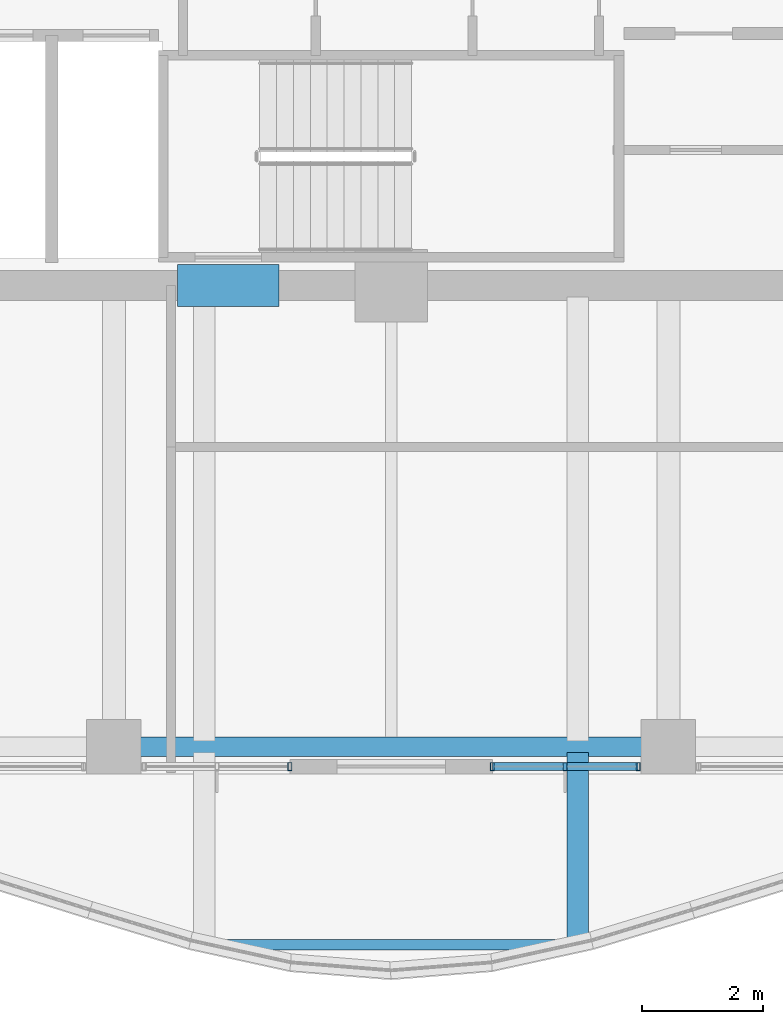
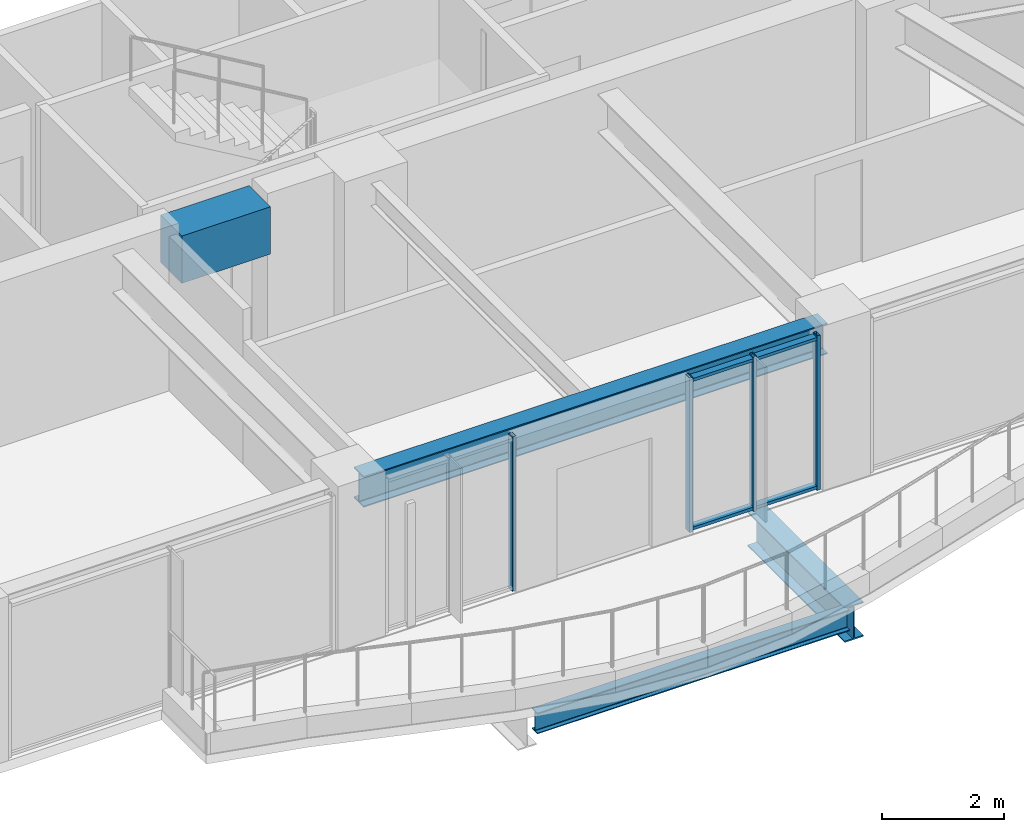
# One storey, part 6 of 31: 6 members, 4 beams, 2 elements without a shape of their own.
"""IFC4 building model written with IfcOpenShell, lengths in metres."""

import ifcopenshell
import ifcopenshell.guid

model = None  # the IFC model being written
_history = None  # IfcOwnerHistory: only IFC2X3 demands one
_inside = {}  # id of a spatial element -> (the spatial element, [elements in it])
_under = {}  # id of a project, library or spatial element -> (it, [spatial elements below it])
_declared = {}  # id of a project -> (the project, [libraries it declares])
_typed = {}  # id of a type object -> (the type object, [elements of that type])
_made_of = {}  # id of a material, layer set ... -> (it, [elements and type objects made of it])


def new_model(schema):
    """Start an empty IFC model of exactly this schema.

    Asked for "IFC4X3", IfcOpenShell would pick the latest addendum, in which some entities
    have other attributes; the version numbers below select the first issue.
    IFC2X3 requires an IfcOwnerHistory on every rooted entity: one is made here for all.
    """
    global model, _history
    if schema == "IFC4X3":
        model = ifcopenshell.file(schema_version=(4, 3, 0, 0))
    else:
        model = ifcopenshell.file(schema=schema)
    _inside.clear()
    _under.clear()
    _declared.clear()
    _typed.clear()
    _made_of.clear()
    _history = None
    if model.schema == "IFC2X3":
        org = make("IfcOrganization", Name="unknown")
        user = make(
            "IfcPersonAndOrganization",
            ThePerson=make("IfcPerson", FamilyName="unknown"),
            TheOrganization=org,
        )
        app = make(
            "IfcApplication",
            ApplicationDeveloper=org,
            Version="unknown",
            ApplicationFullName="unknown",
            ApplicationIdentifier="unknown",
        )
        _history = make(
            "IfcOwnerHistory",
            OwningUser=user,
            OwningApplication=app,
            ChangeAction="ADDED",
            CreationDate=0,
        )
    return model


def make(cls, **values):
    """One entity of the class cls with the attributes given. An attribute that is None is left unset."""
    return model.create_entity(
        cls, **{name: value for name, value in values.items() if value is not None}
    )


def rooted(cls, **values):
    """An entity with a GlobalId (a new one), such as an element, a storey or a relation."""
    return make(cls, GlobalId=ifcopenshell.guid.new(), OwnerHistory=_history, **values)


def si_unit(unit_type, name, prefix=None):
    """IfcSIUnit, for example si_unit("LENGTHUNIT", "METRE", prefix="MILLI")."""
    return make("IfcSIUnit", UnitType=unit_type, Prefix=prefix, Name=name)


def assignment(units):
    """IfcUnitAssignment: the units of a project."""
    return None if units is None else make("IfcUnitAssignment", Units=units)


def point(xyz):
    """IfcCartesianPoint."""
    return None if xyz is None else make("IfcCartesianPoint", Coordinates=xyz)


def direction(xyz):
    """IfcDirection."""
    return None if xyz is None else make("IfcDirection", DirectionRatios=xyz)


def frame(location, z_axis=None, x_axis=None):
    """IfcAxis2Placement3D, a coordinate frame: its origin and axes. An axis left out is left unset."""
    return make(
        "IfcAxis2Placement3D",
        Location=point(location),
        Axis=direction(z_axis),
        RefDirection=direction(x_axis),
    )


def frame_2d(location, x_axis=None):
    """IfcAxis2Placement2D, a coordinate frame in the plane: its origin and x axis."""
    return make(
        "IfcAxis2Placement2D", Location=point(location), RefDirection=direction(x_axis)
    )


def origin():
    """The frame at (0, 0, 0) with its axes left unset."""
    return frame((0.0, 0.0, 0.0))


def origin_2d():
    """The frame at (0, 0) in the plane with its x axis left unset."""
    return frame_2d((0.0, 0.0))


def place(relative_to, where):
    """IfcLocalPlacement: puts the frame where relative to a parent placement (None: the world)."""
    return make(
        "IfcLocalPlacement", PlacementRelTo=relative_to, RelativePlacement=where
    )


def context(
    kind, dimensions, precision=None, world=None, true_north=None, identifier=None
):
    """IfcGeometricRepresentationContext, for example the 3D "Model" context."""
    return make(
        "IfcGeometricRepresentationContext",
        ContextIdentifier=identifier,
        ContextType=kind,
        CoordinateSpaceDimension=dimensions,
        Precision=precision,
        WorldCoordinateSystem=world,
        TrueNorth=true_north,
    )


def subcontext(parent, identifier, kind, view, scale=None):
    """IfcGeometricRepresentationSubContext, for example "Body" below "Model"."""
    return make(
        "IfcGeometricRepresentationSubContext",
        ContextIdentifier=identifier,
        ContextType=kind,
        ParentContext=parent,
        TargetScale=scale,
        TargetView=view,
    )


def project(units=None, contexts=None):
    """IfcProject with its units and contexts."""
    return rooted(
        "IfcProject",
        Name="project",
        RepresentationContexts=contexts,
        UnitsInContext=assignment(units),
    )


def spatial(cls, under=None, at=None, **own):
    """A site, building, storey or space (cls), placed at a placement, below another one or the project."""
    s = rooted(cls, ObjectPlacement=at, **own)
    if under is not None:
        _under.setdefault(under.id(), (under, []))[1].append(s)
    return s


def profile(cls, at=None, kind="AREA", **sizes):
    """A parametric profile (cls). Its sizes go by their IFC names, for example OverallWidth=200.0."""
    return make(cls, ProfileType=kind, Position=at, **sizes)


def rectangle(**sizes):
    """IfcRectangleProfileDef."""
    return profile("IfcRectangleProfileDef", **sizes)


def hollow_rectangle(**sizes):
    """IfcRectangleHollowProfileDef."""
    return profile("IfcRectangleHollowProfileDef", **sizes)


def i_section(**sizes):
    """IfcIShapeProfileDef."""
    return profile("IfcIShapeProfileDef", **sizes)


def extrude(swept, where, along, depth):
    """IfcExtrudedAreaSolid: the profile swept, set in the frame where, extruded along a direction by depth."""
    return make(
        "IfcExtrudedAreaSolid",
        SweptArea=swept,
        Position=where,
        ExtrudedDirection=direction(along),
        Depth=depth,
    )


def shape(context_of_items, identifier, shape_type, items):
    """IfcShapeRepresentation: the items that make up one representation, for example the "Body"."""
    return make(
        "IfcShapeRepresentation",
        ContextOfItems=context_of_items,
        RepresentationIdentifier=identifier,
        RepresentationType=shape_type,
        Items=items,
    )


def material(Name=None, Category=None):
    """IfcMaterial."""
    return make("IfcMaterial", Name=Name, Category=Category)


def material_profile(
    of_material, cross_section, Name=None, Category=None, Priority=None
):
    """IfcMaterialProfile: a cross section and its material."""
    return make(
        "IfcMaterialProfile",
        Name=Name,
        Material=of_material,
        Profile=cross_section,
        Priority=Priority,
        Category=Category,
    )


def profile_set(profiles, Name=None, composite=None):
    """IfcMaterialProfileSet."""
    return make(
        "IfcMaterialProfileSet",
        Name=Name,
        MaterialProfiles=profiles,
        CompositeProfile=composite,
    )


def made_of(thing, what):
    """Note that an element or type object is made of a material, layer set ...; save() writes the relation."""
    if what is not None:
        _made_of.setdefault(what.id(), (what, []))[1].append(thing)
    return thing


def type_object(cls, material=None, **own):
    """A type object (cls), such as IfcWallType, which elements share."""
    return made_of(rooted(cls, **own), material)


def element(
    cls,
    number,
    at=None,
    inside=None,
    cuts=None,
    type_object=None,
    material=None,
    context=None,
    identifier="Body",
    shape_type=None,
    held_by="IfcProductDefinitionShape",
    body=None,
    shapes=None,
    **own,
):
    """One element of the class cls, such as IfcWall. Its Tag is "e" and its number.

    at: its placement. inside: the storey or other place that contains it. cuts: it is an
    opening in that element (IfcRelVoidsElement). A single representation is given by context,
    identifier, shape_type and body (its items); several are given by shapes. held_by: the class
    of the entity that holds the representations. save() writes the other relations.
    """
    e = rooted(cls, Tag="e%d" % number, ObjectPlacement=at, **own)
    if body is not None:
        shapes = [shape(context, identifier, shape_type, body)]
    if shapes is not None:
        e.Representation = make(held_by, Representations=shapes)
    if inside is not None:
        _inside.setdefault(inside.id(), (inside, []))[1].append(e)
    if cuts is not None:
        rooted(
            "IfcRelVoidsElement", RelatingBuildingElement=cuts, RelatedOpeningElement=e
        )
    if type_object is not None:
        _typed.setdefault(type_object.id(), (type_object, []))[1].append(e)
    return made_of(e, material)


def aggregate(whole, parts):
    """IfcRelAggregates: a whole, such as a stair, and the parts it consists of."""
    return rooted("IfcRelAggregates", RelatingObject=whole, RelatedObjects=parts)


def save(model, path):
    """Write the relations noted so far, then the file.

    IfcRelAggregates (storeys below a building ...), IfcRelContainedInSpatialStructure (elements
    in a storey), IfcRelDefinesByType, IfcRelAssociatesMaterial and IfcRelDeclares: one each for
    every whole, place, type object, material and project.
    """
    for whole, parts in _under.values():
        aggregate(whole, parts)
    for where, things in _inside.values():
        rooted(
            "IfcRelContainedInSpatialStructure",
            RelatedElements=things,
            RelatingStructure=where,
        )
    for kind, things in _typed.values():
        rooted("IfcRelDefinesByType", RelatedObjects=things, RelatingType=kind)
    for what, things in _made_of.values():
        rooted("IfcRelAssociatesMaterial", RelatedObjects=things, RelatingMaterial=what)
    for by, libraries in _declared.values():
        rooted("IfcRelDeclares", RelatingContext=by, RelatedDefinitions=libraries)
    model.write(path)


model = new_model("IFC4")

# Units and contexts
model_context = context("Model", 3, precision=1e-05, world=origin(), true_north=direction((0.0, 1.0)))
body_context = subcontext(model_context, "Body", "Model", "MODEL_VIEW")
ifc_project = project(units=[si_unit("LENGTHUNIT", "METRE"), si_unit("AREAUNIT", "SQUARE_METRE"), si_unit("VOLUMEUNIT", "CUBIC_METRE"), si_unit("PLANEANGLEUNIT", "RADIAN"), si_unit("MASSUNIT", "GRAM", prefix="KILO")], contexts=[model_context])

# Site, building, storey
site_placement = place(None, origin())
site = spatial("IfcSite", under=ifc_project, at=site_placement, CompositionType="ELEMENT")
building_placement = place(site_placement, origin())
building = spatial("IfcBuilding", under=site, at=building_placement, Name="Kolvaren Belvedere", CompositionType="ELEMENT")
storey_placement = place(building_placement, frame((0.0, 0.0, 131.60009765625)))
storey = spatial("IfcBuildingStorey", under=building, at=storey_placement, Name="L38", CompositionType="ELEMENT", Elevation=131.60009765625)

# Beams
ifc_material_1 = material(Name="Structural steel ASTM A992 Grade 50", Category="steel")
ifc_material_profile_1 = material_profile(ifc_material_1, i_section(OverallWidth=0.35498046875, OverallDepth=0.696044921875, WebThickness=0.015380859375, FlangeThickness=0.02490234375, FilletRadius=0.02197265625, at=origin_2d()), Name="W27X146")
ifc_profile_set_1 = profile_set([ifc_material_profile_1], Name="Structural steel ASTM A992 Grade 50")
beam_type_1 = type_object("IfcBeamType", Name="BM-CANT-BAL", PredefinedType="BEAM", material=ifc_profile_set_1)
beam_1_placement = place(storey_placement, frame((3.10009765625, -17.64501953125, -0.548095703125), z_axis=(0.0, -1.0, 0.0), x_axis=(1.0, 0.0, 0.0)))
element("IfcBeam", 1, at=beam_1_placement, inside=storey, type_object=beam_type_1, Name="L38 Planted Balcony Cantilever BAL-S-2", PredefinedType="BEAM", context=body_context, shape_type="SweptSolid", body=[
    extrude(i_section(OverallWidth=0.35498046875, OverallDepth=0.696044921875, WebThickness=0.015380859375, FlangeThickness=0.02490234375, FilletRadius=0.02197265625, at=origin_2d()), origin(), (0.0, 0.0, 1.0), 3.190673828125),
])
ifc_material_2 = material(Name="Structural steel ASTM A992 Grade 50", Category="steel")
ifc_material_profile_2 = material_profile(ifc_material_2, i_section(OverallWidth=0.180908203125, OverallDepth=0.4169921875, WebThickness=0.010986328125, FlangeThickness=0.018310546875, FilletRadius=0.013916015625, at=origin_2d()), Name="W16X57")
ifc_profile_set_2 = profile_set([ifc_material_profile_2], Name="Structural steel ASTM A992 Grade 50")
beam_type_2 = type_object("IfcBeamType", Name="BM-EDGE-W16X57", PredefinedType="BEAM", material=ifc_profile_set_2)
beam_2_placement = place(storey_placement, frame((-2.9599609375, -20.835693359375, -0.40869140625), z_axis=(1.0, 0.0, 0.0), x_axis=(0.0, 1.0, 0.0)))
element("IfcBeam", 2, at=beam_2_placement, inside=storey, type_object=beam_type_2, Name="L38 Balcony Tip Header Beam BAL-S", PredefinedType="BEAM", context=body_context, shape_type="SweptSolid", body=[
    extrude(i_section(OverallWidth=0.180908203125, OverallDepth=0.4169921875, WebThickness=0.010986328125, FlangeThickness=0.018310546875, FilletRadius=0.013916015625, at=origin_2d()), origin(), (0.0, 0.0, 1.0), 5.919921875),
])
ifc_material_3 = material(Name="Concrete C60/75", Category="concrete")
ifc_material_profile_3 = material_profile(ifc_material_3, rectangle(XDim=0.699951171875, YDim=0.949951171875, at=origin_2d()), Name="RC 700X950")
ifc_profile_set_3 = profile_set([ifc_material_profile_3], Name="Concrete C60/75")
beam_type_3 = type_object("IfcBeamType", Name="BM-LINT-950", PredefinedType="LINTEL", material=ifc_profile_set_3)
beam_3_placement = place(storey_placement, frame((-3.5400390625, -9.89990234375, 2.625), z_axis=(1.0, 0.0, 0.0), x_axis=(0.0, 1.0, 0.0)))
element("IfcBeam", 3, at=beam_3_placement, inside=storey, type_object=beam_type_3, Name="L38 South Core Coupling Lintel", PredefinedType="LINTEL", context=body_context, shape_type="SweptSolid", body=[
    extrude(rectangle(XDim=0.699951171875, YDim=0.949951171875, at=origin_2d()), origin(), (0.0, 0.0, 1.0), 1.679931640625),
])
ifc_material_4 = material(Name="Structural steel ASTM A992 Grade 50", Category="steel")
ifc_material_profile_4 = material_profile(ifc_material_4, i_section(OverallWidth=0.324951171875, OverallDepth=0.615966796875, WebThickness=0.013916015625, FlangeThickness=0.021484375, FilletRadius=0.02001953125, at=origin_2d()), Name="W24X117")
ifc_profile_set_4 = profile_set([ifc_material_profile_4], Name="Structural steel ASTM A992 Grade 50")
beam_type_4 = type_object("IfcBeamType", Name="BM-SPAN-W24X117", PredefinedType="SPANDREL", material=ifc_profile_set_4)
beam_4_placement = place(storey_placement, frame((-4.3974609375, -17.550048828125, 2.7919921875), z_axis=(1.0, 0.0, 0.0), x_axis=(0.0, 1.0, 0.0)))
element("IfcBeam", 4, at=beam_4_placement, inside=storey, type_object=beam_type_4, Name="L38 Perimeter Spandrel S2-S3", PredefinedType="SPANDREL", context=body_context, shape_type="SweptSolid", body=[
    extrude(i_section(OverallWidth=0.324951171875, OverallDepth=0.615966796875, WebThickness=0.013916015625, FlangeThickness=0.021484375, FilletRadius=0.02001953125, at=origin_2d()), origin(), (0.0, 0.0, 1.0), 8.794921875),
])

# Curtain wall, members
ifc_material_5 = material(Name="Anodised pale-metal aluminium AA 6063-T6", Category="aluminium")
curtain_wall_type = type_object("IfcCurtainWallType", Name="CW-Z3-WAIST", PredefinedType="NOTDEFINED", material=ifc_material_5)
curtain_wall_1_placement = place(storey_placement, origin())
curtain_wall_1 = element("IfcCurtainWall", 5, at=curtain_wall_1_placement, inside=storey, type_object=curtain_wall_type, Name="L38 Unitised Curtain Wall FCW-L38-S1-B2", PredefinedType="NOTDEFINED")
ifc_material_6 = material(Name="Anodised pale-metal aluminium AA 6063-T6", Category="aluminium")
ifc_material_profile_5 = material_profile(ifc_material_6, hollow_rectangle(XDim=0.06494140625, YDim=0.1298828125, WallThickness=0.00390625, at=origin_2d()), Name="ALU-MUL-130X65")
ifc_profile_set_5 = profile_set([ifc_material_profile_5], Name="Anodised pale-metal aluminium AA 6063-T6")
member_type_1 = type_object("IfcMemberType", Name="CW-MUL-130", PredefinedType="MULLION", material=ifc_profile_set_5)
member_1_placement = place(storey_placement, frame((4.097412109375, -17.8798828125, 0.0), z_axis=(0.0, 0.0, 1.0), x_axis=(1.0, 0.0, 0.0)))
member_1 = element("IfcMember", 6, at=member_1_placement, type_object=member_type_1, Name="FCW-L38-S1-B2 Unitised Mullion 1", PredefinedType="MULLION", context=body_context, shape_type="SweptSolid", body=[
    extrude(hollow_rectangle(XDim=0.06494140625, YDim=0.1298828125, WallThickness=0.00390625, at=origin_2d()), origin(), (0.0, 0.0, 1.0), 3.099853515625),
])
member_2_placement = place(storey_placement, frame((2.888671875, -17.8798828125, 0.0), z_axis=(0.0, 0.0, 1.0), x_axis=(1.0, 0.0, 0.0)))
member_2 = element("IfcMember", 7, at=member_2_placement, type_object=member_type_1, Name="FCW-L38-S1-B2 Unitised Mullion 2", PredefinedType="MULLION", context=body_context, shape_type="SweptSolid", body=[
    extrude(hollow_rectangle(XDim=0.06494140625, YDim=0.1298828125, WallThickness=0.00390625, at=origin_2d()), origin(), (0.0, 0.0, 1.0), 3.099853515625),
])
member_3_placement = place(storey_placement, frame((1.679931640625, -17.8798828125, 0.0), z_axis=(0.0, 0.0, 1.0), x_axis=(1.0, 0.0, 0.0)))
member_3 = element("IfcMember", 8, at=member_3_placement, type_object=member_type_1, Name="FCW-L38-S1-B2 Unitised Mullion 3", PredefinedType="MULLION", context=body_context, shape_type="SweptSolid", body=[
    extrude(hollow_rectangle(XDim=0.06494140625, YDim=0.1298828125, WallThickness=0.00390625, at=origin_2d()), origin(), (0.0, 0.0, 1.0), 3.099853515625),
])

# Curtain wall, member
curtain_wall_2_placement = place(storey_placement, origin())
curtain_wall_2 = element("IfcCurtainWall", 9, at=curtain_wall_2_placement, inside=storey, type_object=curtain_wall_type, Name="L38 Unitised Curtain Wall FCW-L38-S2-B1", PredefinedType="NOTDEFINED")
member_4_placement = place(storey_placement, frame((-1.679931640625, -17.8798828125, 0.0), z_axis=(0.0, 0.0, 1.0), x_axis=(1.0, 0.0, 0.0)))
member_4 = element("IfcMember", 10, at=member_4_placement, type_object=member_type_1, Name="FCW-L38-S2-B1 Unitised Mullion 1", PredefinedType="MULLION", context=body_context, shape_type="SweptSolid", body=[
    extrude(hollow_rectangle(XDim=0.06494140625, YDim=0.1298828125, WallThickness=0.00390625, at=origin_2d()), origin(), (0.0, 0.0, 1.0), 3.099853515625),
])
aggregate(curtain_wall_2, [member_4])

# Member
ifc_material_7 = material(Name="Anodised pale-metal aluminium AA 6063-T6", Category="aluminium")
ifc_material_profile_6 = material_profile(ifc_material_7, hollow_rectangle(XDim=0.06005859375, YDim=0.1298828125, WallThickness=0.00390625, at=origin_2d()), Name="ALU-TRN-130X60")
ifc_profile_set_6 = profile_set([ifc_material_profile_6], Name="Anodised pale-metal aluminium AA 6063-T6")
member_type_2 = type_object("IfcMemberType", Name="CW-TRN-130", PredefinedType="USERDEFINED", material=ifc_profile_set_6)
member_5_placement = place(storey_placement, frame((4.097412109375, -17.8798828125, 0.059814453125), z_axis=(-1.0, 0.0, 0.0), x_axis=(0.0, 0.0, 1.0)))
member_5 = element("IfcMember", 11, at=member_5_placement, type_object=member_type_2, Name="FCW-L38-S1-B2 Sill Transom", ObjectType="TRANSOM", PredefinedType="USERDEFINED", context=body_context, shape_type="SweptSolid", body=[
    extrude(hollow_rectangle(XDim=0.06005859375, YDim=0.1298828125, WallThickness=0.00390625, at=origin_2d()), origin(), (0.0, 0.0, 1.0), 2.41748046875),
])

member_6_placement = place(storey_placement, frame((4.097412109375, -17.8798828125, 3.039794921875), z_axis=(-1.0, 0.0, 0.0), x_axis=(0.0, 0.0, 1.0)))
member_6 = element("IfcMember", 12, at=member_6_placement, type_object=member_type_2, Name="FCW-L38-S1-B2 Head Transom", ObjectType="TRANSOM", PredefinedType="USERDEFINED", context=body_context, shape_type="SweptSolid", body=[
    extrude(hollow_rectangle(XDim=0.06005859375, YDim=0.1298828125, WallThickness=0.00390625, at=origin_2d()), origin(), (0.0, 0.0, 1.0), 2.41748046875),
])

aggregate(curtain_wall_1, [member_1, member_2, member_3, member_5, member_6])

save(model, "model.ifc")
